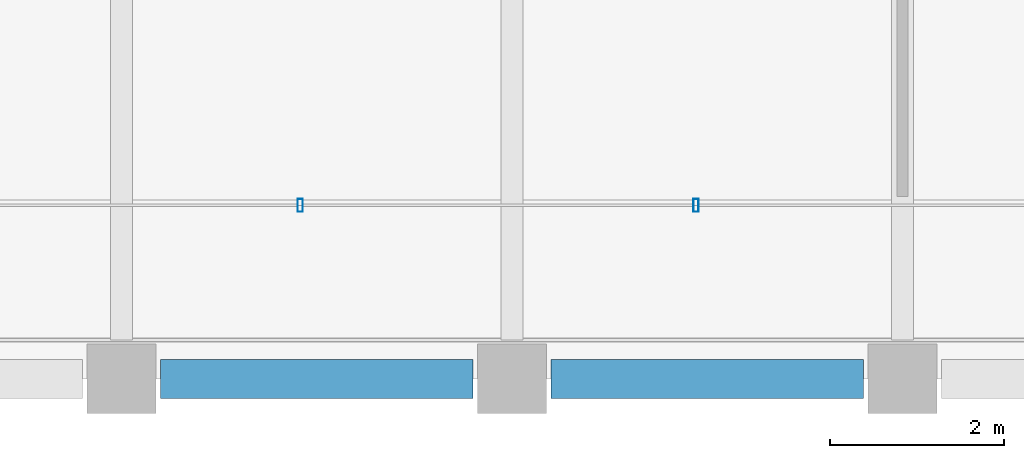
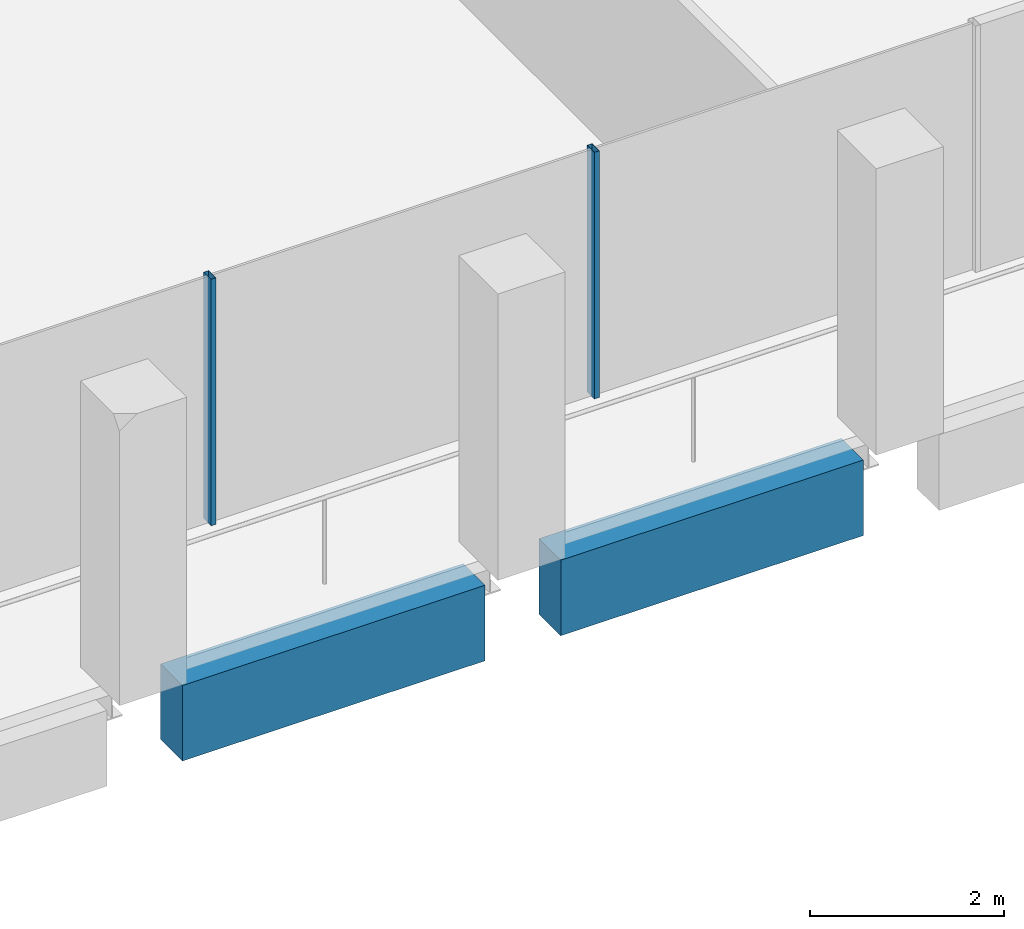
# One storey, part 3 of 40: 2 beams, 2 members, 1 element without a shape of its own.
"""IFC4 building model written with IfcOpenShell, lengths in metres."""

from ifc_helpers import new_model, si_unit, direction, frame, origin, origin_2d, place, context, subcontext, project, spatial, rectangle, hollow_rectangle, extrude, material, material_profile, profile_set, type_object, element, aggregate, save


model = new_model("IFC4")

# Units and contexts
model_context = context("Model", 3, precision=1e-05, world=origin(), true_north=direction((0.0, 1.0)))
body_context = subcontext(model_context, "Body", "Model", "MODEL_VIEW")
ifc_project = project(units=[si_unit("LENGTHUNIT", "METRE"), si_unit("AREAUNIT", "SQUARE_METRE"), si_unit("VOLUMEUNIT", "CUBIC_METRE"), si_unit("PLANEANGLEUNIT", "RADIAN"), si_unit("MASSUNIT", "GRAM", prefix="KILO")], contexts=[model_context])

# Site, building, storey
site_placement = place(None, origin())
site = spatial("IfcSite", under=ifc_project, at=site_placement, CompositionType="ELEMENT")
building_placement = place(site_placement, origin())
building = spatial("IfcBuilding", under=site, at=building_placement, Name="Altepetl Exchange Towers", CompositionType="ELEMENT")
storey_placement = place(building_placement, frame((0.0, 0.0, 195.60009765625)))
storey = spatial("IfcBuildingStorey", under=building, at=storey_placement, Name="L49", CompositionType="ELEMENT", Elevation=195.60009765625)

# Curtain wall, members
ifc_material_1 = material(Name="Aluminium 6063-T6 glazing", Category="aluminium")
curtain_wall_type = type_object("IfcCurtainWallType", Name="Loggia glazing system", PredefinedType="NOTDEFINED", material=ifc_material_1)
curtain_wall_placement = place(storey_placement, origin())
curtain_wall = element("IfcCurtainWall", 1, at=curtain_wall_placement, inside=storey, type_object=curtain_wall_type, Name="CW1 run", PredefinedType="NOTDEFINED")
ifc_material_2 = material(Name="Aluminium 6063-T6", Category="aluminium")
ifc_material_profile_1 = material_profile(ifc_material_2, hollow_rectangle(XDim=0.06005859375, YDim=0.14990234375, WallThickness=0.0029296875, at=origin_2d()), Name="Mullion 60x150 aluminium")
ifc_profile_set_1 = profile_set([ifc_material_profile_1], Name="Aluminium 6063-T6")
member_type = type_object("IfcMemberType", Name="Mullion 60x150 aluminium", PredefinedType="MULLION", material=ifc_profile_set_1)
member_1_placement = place(storey_placement, frame((38.060791015625, 29.0, 0.0)))
member_1 = element("IfcMember", 2, at=member_1_placement, type_object=member_type, Name="MU1 mullion", PredefinedType="MULLION", context=body_context, shape_type="SweptSolid", body=[
    extrude(hollow_rectangle(XDim=0.06005859375, YDim=0.14990234375, WallThickness=0.0029296875, at=origin_2d()), origin(), (0.0, 0.0, 1.0), 3.099853515625),
])
member_2_placement = place(storey_placement, frame((42.621337890625, 29.0, 0.0)))
member_2 = element("IfcMember", 3, at=member_2_placement, type_object=member_type, Name="MU1 mullion", PredefinedType="MULLION", context=body_context, shape_type="SweptSolid", body=[
    extrude(hollow_rectangle(XDim=0.06005859375, YDim=0.14990234375, WallThickness=0.0029296875, at=origin_2d()), origin(), (0.0, 0.0, 1.0), 3.099853515625),
])
aggregate(curtain_wall, [member_1, member_2])

# Beams
ifc_material_3 = material(Name="Concrete C50/60 precast with cantera blanca facing", Category="concrete")
ifc_material_profile_2 = material_profile(ifc_material_3, rectangle(XDim=0.449951171875, YDim=0.949951171875, at=origin_2d()), Name="450 x 950")
ifc_profile_set_2 = profile_set([ifc_material_profile_2], Name="Concrete C50/60 precast with cantera blanca facing")
beam_type = type_object("IfcBeamType", Name="Spandrel beam 450x950 cantera blanca", PredefinedType="SPANDREL", material=ifc_profile_set_2)
for number, where, z_axis, x_axis, name in (
    (4, (36.449951171875, 27.0, -0.625), (1.0, 0.0, 0.0), (0.0, 1.0, 0.0), "sp:A:L49:001"),
    (5, (40.949951171875, 27.0, -0.625), (1.0, 0.0, 0.0), (0.0, 1.0, 0.0), "sp:A:L49:002"),
):
    element("IfcBeam", number, at=place(storey_placement, frame(where, z_axis=z_axis, x_axis=x_axis)), inside=storey, type_object=beam_type, Name=name, PredefinedType="SPANDREL", context=body_context, shape_type="SweptSolid", body=[
        extrude(rectangle(XDim=0.449951171875, YDim=0.949951171875, at=origin_2d()), origin(), (0.0, 0.0, 1.0), 3.60009765625),
    ])

save(model, "model.ifc")
